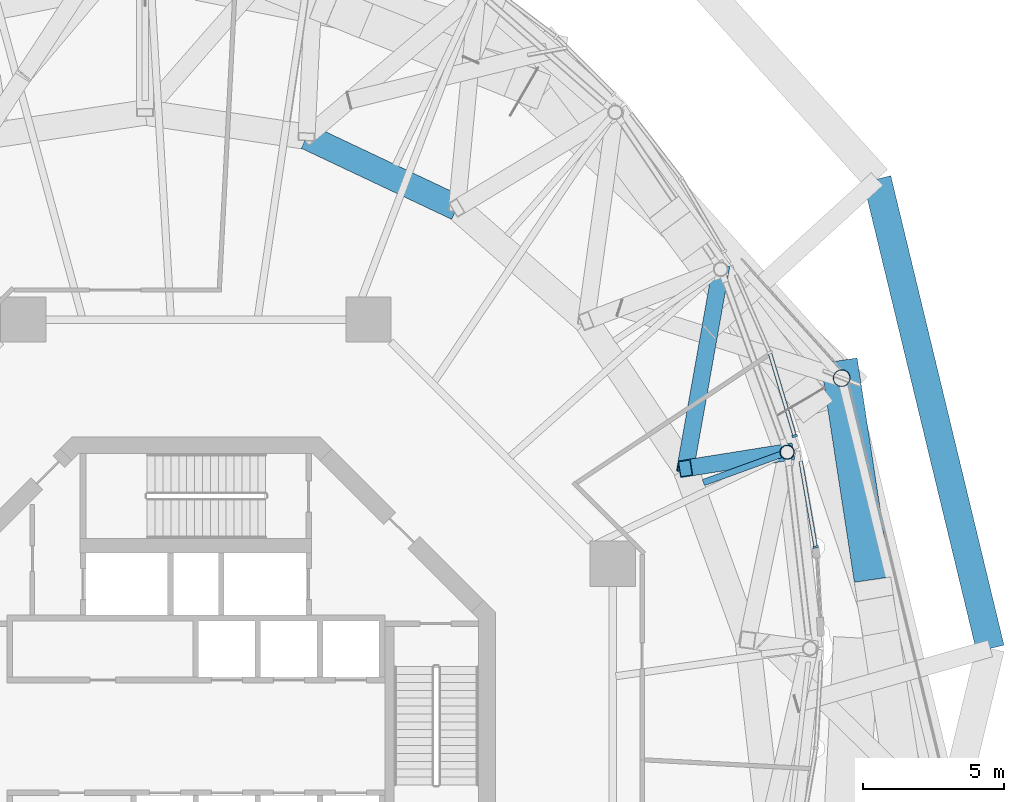
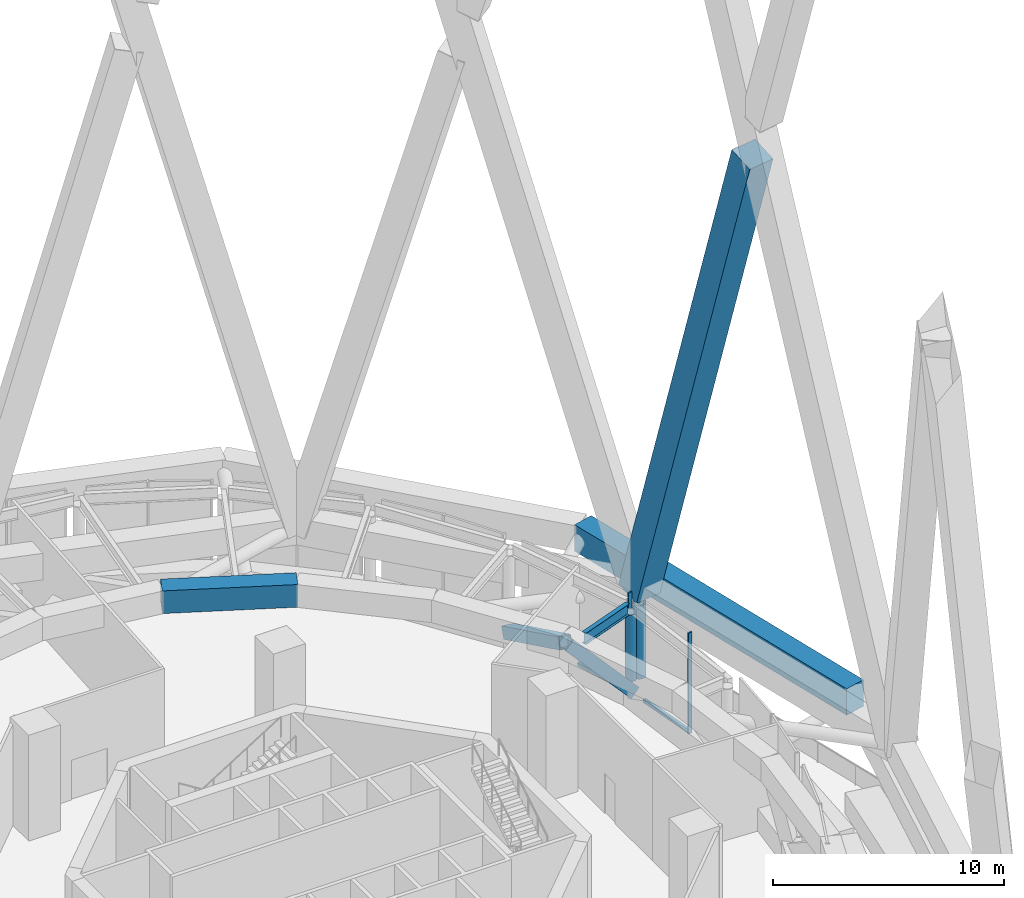
# One storey, part 28 of 48: 8 members, 4 beams, 2 elements without a shape of their own.
"""IFC4 building model written with IfcOpenShell, lengths in metres."""

from ifc_helpers import new_model, si_unit, direction, frame, origin, origin_2d, place, context, subcontext, project, spatial, rectangle, hollow_rectangle, hollow_circle, i_section, extrude, material, layer, layer_set, material_profile, profile_set, type_object, element, aggregate, save


model = new_model("IFC4")

# Units and contexts
model_context = context("Model", 3, precision=1e-05, world=origin(), true_north=direction((0.0, 1.0)))
body_context = subcontext(model_context, "Body", "Model", "MODEL_VIEW")
ifc_project = project(units=[si_unit("LENGTHUNIT", "METRE"), si_unit("AREAUNIT", "SQUARE_METRE"), si_unit("VOLUMEUNIT", "CUBIC_METRE"), si_unit("PLANEANGLEUNIT", "RADIAN"), si_unit("MASSUNIT", "GRAM", prefix="KILO")], contexts=[model_context])

# Site, building, storey
site_placement = place(None, origin())
site = spatial("IfcSite", under=ifc_project, at=site_placement, CompositionType="ELEMENT")
building_placement = place(site_placement, origin())
building = spatial("IfcBuilding", under=site, at=building_placement, Name="Nagisa Residences", CompositionType="ELEMENT")
storey_placement = place(building_placement, frame((0.0, 0.0, 252.89990234375)))
storey = spatial("IfcBuildingStorey", under=building, at=storey_placement, Name="L64", CompositionType="ELEMENT", Elevation=252.89990234375)

# Beams
ifc_material_1 = material(Name="Steel ASTM A572 Gr 50", Category="steel")
ifc_material_profile_1 = material_profile(ifc_material_1, hollow_rectangle(XDim=0.89990234375, YDim=1.199951171875, WallThickness=0.0400390625, at=origin_2d()), Name="BX 900x1200x40")
ifc_profile_set_1 = profile_set([ifc_material_profile_1], Name="Steel ASTM A572 Gr 50")
beam_type_1 = type_object("IfcBeamType", Name="Belt chord 5 BX 900x1200x40", PredefinedType="BEAM", material=ifc_profile_set_1)
beam_1_placement = place(storey_placement, frame((9.260009765625, 18.74072265625, 4.739990234375), z_axis=(-0.904104817547, 0.427310752134, 0.0), x_axis=(-0.427310752134, -0.904104817547, 0.0)))
element("IfcBeam", 1, at=beam_1_placement, inside=storey, type_object=beam_type_1, Name="beam:L64:bt5t05", PredefinedType="BEAM", context=body_context, shape_type="SweptSolid", body=[
    extrude(hollow_rectangle(XDim=0.89990234375, YDim=1.199951171875, WallThickness=0.0400390625, at=origin_2d()), origin(), (0.0, 0.0, 1.0), 5.90087890625),
])
ifc_material_2 = material(Name="Steel ASTM A572 Gr 50", Category="steel")
ifc_material_profile_2 = material_profile(ifc_material_2, hollow_rectangle(XDim=0.60009765625, YDim=0.60009765625, WallThickness=0.034912109375, at=origin_2d()), Name="BX 600x600x35")
ifc_profile_set_2 = profile_set([ifc_material_profile_2], Name="Steel ASTM A572 Gr 50")
beam_type_2 = type_object("IfcBeamType", Name="Belt diagonal 5 BX 600x600x35", PredefinedType="BEAM", material=ifc_profile_set_2)
beam_2_placement = place(storey_placement, frame((20.966796875, 10.077392578125, 0.60009765625), z_axis=(-0.653686752868, -0.104144305502, 0.74956493565), x_axis=(0.157334124259, -0.987545428496, 0.0)))
element("IfcBeam", 2, at=beam_2_placement, inside=storey, type_object=beam_type_2, Name="beam:L64:bt5db02", PredefinedType="BEAM", context=body_context, shape_type="SweptSolid", body=[
    extrude(hollow_rectangle(XDim=0.60009765625, YDim=0.60009765625, WallThickness=0.034912109375, at=origin_2d()), origin(), (0.0, 0.0, 1.0), 5.52294921875),
])
beam_3_placement = place(storey_placement, frame((18.6123046875, 16.562744140625, 0.60009765625), z_axis=(-0.151664087099, -0.852668234621, 0.499954884318), x_axis=(0.984546859021, -0.175121336197, 0.0)))
element("IfcBeam", 3, at=beam_3_placement, inside=storey, type_object=beam_type_2, Name="beam:L64:bt5da03", PredefinedType="BEAM", context=body_context, shape_type="SweptSolid", body=[
    extrude(hollow_rectangle(XDim=0.60009765625, YDim=0.60009765625, WallThickness=0.034912109375, at=origin_2d()), origin(), (0.0, 0.0, 1.0), 8.280517578125),
])

# Curtain wall, member
ifc_material_3 = material(Name="Aluminium curtain wall system", Category="aluminium")
ifc_layer = layer(ifc_material_3, 0.159912109375)
ifc_layer_set = layer_set([ifc_layer], Name="CW2 CURTAIN WALL")
curtain_wall_type = type_object("IfcCurtainWallType", Name="CW2 CURTAIN WALL", PredefinedType="NOTDEFINED", material=ifc_layer_set)
curtain_wall_1_placement = place(storey_placement, origin())
curtain_wall_1 = element("IfcCurtainWall", 4, at=curtain_wall_1_placement, inside=storey, type_object=curtain_wall_type, Name="cw:CW2:L64:01", PredefinedType="NOTDEFINED")
ifc_material_4 = material(Name="Aluminium", Category="aluminium")
ifc_material_profile_3 = material_profile(ifc_material_4, rectangle(XDim=0.199951171875, YDim=0.080078125, at=origin_2d()), Name="CW2 MULLION 200x80")
ifc_profile_set_3 = profile_set([ifc_material_profile_3], Name="Aluminium")
member_type_1 = type_object("IfcMemberType", Name="CW2 MULLION 200x80", PredefinedType="MULLION", material=ifc_profile_set_3)
member_1_placement = place(storey_placement, frame((21.978271484375, 6.718505859375, 0.0), z_axis=(0.0, 0.0, 1.0), x_axis=(-0.985063604377, -0.172190868898, 0.0)))
member_1 = element("IfcMember", 5, at=member_1_placement, type_object=member_type_1, Name="CW2 mullion", PredefinedType="MULLION", context=body_context, shape_type="SweptSolid", body=[
    extrude(rectangle(XDim=0.199951171875, YDim=0.080078125, at=origin_2d()), origin(), (0.0, 0.0, 1.0), 5.340087890625),
])

curtain_wall_2_placement = place(storey_placement, origin())
curtain_wall_2 = element("IfcCurtainWall", 6, at=curtain_wall_2_placement, inside=storey, type_object=curtain_wall_type, Name="cw:CW2:L64:02", PredefinedType="NOTDEFINED")
member_2_placement = place(storey_placement, frame((21.233154296875, 10.6533203125, 0.0), z_axis=(0.0, 0.0, 1.0), x_axis=(-0.958271310082, -0.285860274038, 0.0)))
member_2 = element("IfcMember", 7, at=member_2_placement, type_object=member_type_1, Name="CW2 mullion", PredefinedType="MULLION", context=body_context, shape_type="SweptSolid", body=[
    extrude(rectangle(XDim=0.199951171875, YDim=0.080078125, at=origin_2d()), origin(), (0.0, 0.0, 1.0), 5.340087890625),
])

# Member
ifc_material_5 = material(Name="Aluminium", Category="aluminium")
ifc_material_profile_4 = material_profile(ifc_material_5, rectangle(XDim=0.139892578125, YDim=0.179931640625, at=origin_2d()), Name="CW2 TRANSOM 140x180")
ifc_profile_set_4 = profile_set([ifc_material_profile_4], Name="Aluminium")
member_type_2 = type_object("IfcMemberType", Name="CW2 TRANSOM 140x180", PredefinedType="USERDEFINED", material=ifc_profile_set_4)
member_3_placement = place(storey_placement, frame((21.9853515625, 6.678955078125, 0.090087890625), z_axis=(-0.172216953306, 0.98505904442, 0.0), x_axis=(-0.98505904442, -0.172216953306, 0.0)))
member_3 = element("IfcMember", 8, at=member_3_placement, type_object=member_type_2, Name="CW2 transom", ObjectType="TRANSOM", PredefinedType="USERDEFINED", context=body_context, shape_type="SweptSolid", body=[
    extrude(rectangle(XDim=0.139892578125, YDim=0.179931640625, at=origin_2d()), origin(), (0.0, 0.0, 1.0), 3.117431640625),
])

aggregate(curtain_wall_1, [member_1, member_3])

member_4_placement = place(storey_placement, frame((21.24462890625, 10.614990234375, 0.090087890625), z_axis=(-0.285898030292, 0.958260046269, 0.0), x_axis=(-0.958260046269, -0.285898030292, 0.0)))
member_4 = element("IfcMember", 9, at=member_4_placement, type_object=member_type_2, Name="CW2 transom", ObjectType="TRANSOM", PredefinedType="USERDEFINED", context=body_context, shape_type="SweptSolid", body=[
    extrude(rectangle(XDim=0.139892578125, YDim=0.179931640625, at=origin_2d()), origin(), (0.0, 0.0, 1.0), 3.09033203125),
])

aggregate(curtain_wall_2, [member_2, member_4])

# Members
ifc_material_6 = material(Name="Concrete C80", Category="concrete")
ifc_material_profile_5 = material_profile(ifc_material_6, rectangle(XDim=1.300048828125, YDim=1.300048828125, at=origin_2d()), Name="C80 1300x1300")
ifc_profile_set_5 = profile_set([ifc_material_profile_5], Name="Concrete C80")
member_type_3 = type_object("IfcMemberType", Name="Cage diagonal 6 C80 1300x1300", PredefinedType="BRACE", material=ifc_profile_set_5)
member_5_placement = place(storey_placement, frame((22.89892578125, 12.702392578125, 3.7001953125), z_axis=(0.04184536284, -0.273431572192, 0.960980822357), x_axis=(0.988491479838, 0.151276549034, 0.0)))
element("IfcMember", 10, at=member_5_placement, inside=storey, type_object=member_type_3, Name="mem:L64:cg6d002a", PredefinedType="BRACE", context=body_context, shape_type="SweptSolid", body=[
    extrude(rectangle(XDim=1.300048828125, YDim=1.300048828125, at=origin_2d()), origin(), (0.0, 0.0, 1.0), 28.378173828125),
])
ifc_material_7 = material(Name="Concrete C80", Category="concrete")
ifc_material_profile_6 = material_profile(ifc_material_7, rectangle(XDim=1.0, YDim=1.39990234375, at=origin_2d()), Name="C80 1000x1400")
ifc_profile_set_6 = profile_set([ifc_material_profile_6], Name="Concrete C80")
member_type_4 = type_object("IfcMemberType", Name="Cage ring 5 C80 1000x1400", PredefinedType="CHORD", material=ifc_profile_set_6)
member_6_placement = place(storey_placement, frame((28.169921875, 3.11767578125, 1.900146484375), z_axis=(-0.234495574244, 0.972117187205, 0.0), x_axis=(-0.972117187205, -0.234495574244, 0.0)))
element("IfcMember", 11, at=member_6_placement, inside=storey, type_object=member_type_4, Name="beam:L64:cg5r101", PredefinedType="CHORD", context=body_context, shape_type="SweptSolid", body=[
    extrude(rectangle(XDim=1.0, YDim=1.39990234375, at=origin_2d()), origin(), (0.0, 0.0, 1.0), 17.12255859375),
])
ifc_material_8 = material(Name="Steel ASTM A572 Gr 65", Category="steel")
ifc_material_profile_7 = material_profile(ifc_material_8, hollow_circle(Radius=0.304931640625, WallThickness=0.02490234375, at=origin_2d()), Name="CHS 610x25")
ifc_profile_set_7 = profile_set([ifc_material_profile_7], Name="Steel ASTM A572 Gr 65")
member_type_5 = type_object("IfcMemberType", Name="Deck hanger CHS 610x25", PredefinedType="POST", material=ifc_profile_set_7)
member_7_placement = place(storey_placement, frame((22.89892578125, 12.702392578125, 3.0), z_axis=(0.0, 0.0, -1.0), x_axis=(1.0, 0.0, 0.0)))
element("IfcMember", 12, at=member_7_placement, inside=storey, type_object=member_type_5, Name="mem:L64:deckhanger02", PredefinedType="POST", context=body_context, shape_type="SweptSolid", body=[
    extrude(hollow_circle(Radius=0.304931640625, WallThickness=0.02490234375, at=origin_2d()), origin(), (0.0, 0.0, 1.0), 3.889892578125),
])
ifc_material_9 = material(Name="Steel ASTM A572 Gr 65", Category="steel")
ifc_material_profile_8 = material_profile(ifc_material_9, hollow_circle(Radius=0.25390625, WallThickness=0.02001953125, at=origin_2d()), Name="CHS 508x20")
ifc_profile_set_8 = profile_set([ifc_material_profile_8], Name="Steel ASTM A572 Gr 65")
member_type_6 = type_object("IfcMemberType", Name="Garden edge post CHS 508x20", PredefinedType="POST", material=ifc_profile_set_8)
member_8_placement = place(storey_placement, frame((20.966796875, 10.077392578125, 1.2001953125), z_axis=(0.0, 0.0, 1.0), x_axis=(1.0, 0.0, 0.0)))
element("IfcMember", 13, at=member_8_placement, inside=storey, type_object=member_type_6, Name="mem:L64:gp502", PredefinedType="POST", context=body_context, shape_type="SweptSolid", body=[
    extrude(hollow_circle(Radius=0.25390625, WallThickness=0.02001953125, at=origin_2d()), origin(), (0.0, 0.0, 1.0), 3.536865234375),
])

# Beam
ifc_material_10 = material(Name="Steel ASTM A572 Gr 50", Category="steel")
ifc_material_profile_9 = material_profile(ifc_material_10, i_section(OverallWidth=0.22802734375, OverallDepth=0.60302734375, WebThickness=0.010498046875, FlangeThickness=0.014892578125, at=origin_2d()), Name="W610x101")
ifc_profile_set_9 = profile_set([ifc_material_profile_9], Name="Steel ASTM A572 Gr 50")
beam_type_3 = type_object("IfcBeamType", Name="Garden radial beam W610x101", PredefinedType="BEAM", material=ifc_profile_set_9)
beam_4_placement = place(storey_placement, frame((20.746826171875, 9.99755859375, 5.03857421875), z_axis=(-0.939963843002, -0.341274045085, 0.0), x_axis=(0.341274045085, -0.939963843002, 0.0)))
element("IfcBeam", 14, at=beam_4_placement, inside=storey, type_object=beam_type_3, Name="beam:L64:bt5gr02", PredefinedType="BEAM", context=body_context, shape_type="SweptSolid", body=[
    extrude(i_section(OverallWidth=0.22802734375, OverallDepth=0.60302734375, WebThickness=0.010498046875, FlangeThickness=0.014892578125, at=origin_2d()), origin(), (0.0, 0.0, 1.0), 2.926025390625),
])

save(model, "model.ifc")
